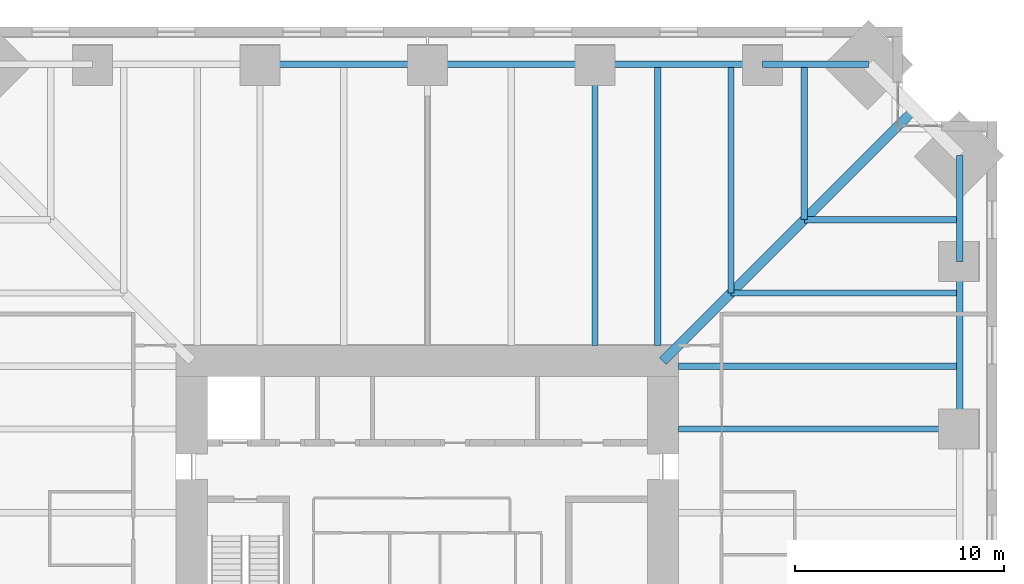
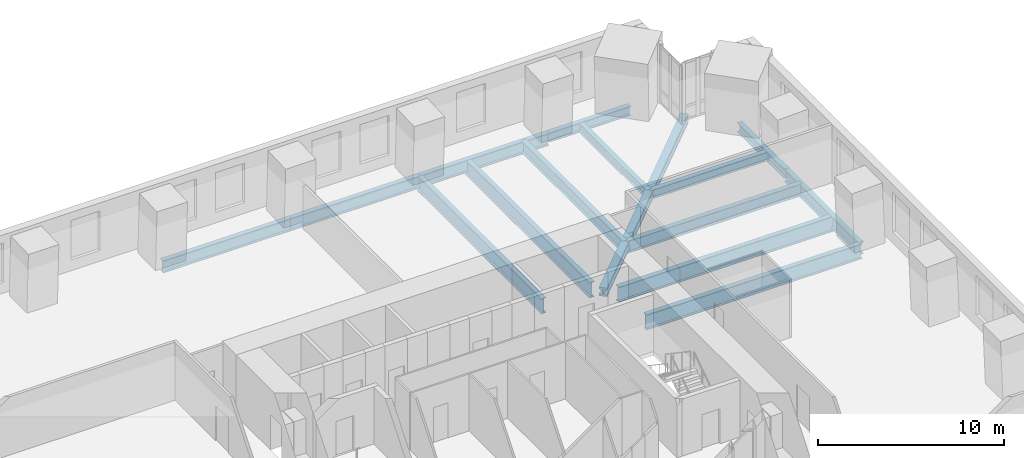
# One storey, part 7 of 16: 15 beams.
"""IFC4 building model written with IfcOpenShell, lengths in metres."""

import ifcopenshell
import ifcopenshell.guid

model = None  # the IFC model being written
_history = None  # IfcOwnerHistory: only IFC2X3 demands one
_inside = {}  # id of a spatial element -> (the spatial element, [elements in it])
_under = {}  # id of a project, library or spatial element -> (it, [spatial elements below it])
_declared = {}  # id of a project -> (the project, [libraries it declares])
_typed = {}  # id of a type object -> (the type object, [elements of that type])
_made_of = {}  # id of a material, layer set ... -> (it, [elements and type objects made of it])


def new_model(schema):
    """Start an empty IFC model of exactly this schema.

    Asked for "IFC4X3", IfcOpenShell would pick the latest addendum, in which some entities
    have other attributes; the version numbers below select the first issue.
    IFC2X3 requires an IfcOwnerHistory on every rooted entity: one is made here for all.
    """
    global model, _history
    if schema == "IFC4X3":
        model = ifcopenshell.file(schema_version=(4, 3, 0, 0))
    else:
        model = ifcopenshell.file(schema=schema)
    _inside.clear()
    _under.clear()
    _declared.clear()
    _typed.clear()
    _made_of.clear()
    _history = None
    if model.schema == "IFC2X3":
        org = make("IfcOrganization", Name="unknown")
        user = make(
            "IfcPersonAndOrganization",
            ThePerson=make("IfcPerson", FamilyName="unknown"),
            TheOrganization=org,
        )
        app = make(
            "IfcApplication",
            ApplicationDeveloper=org,
            Version="unknown",
            ApplicationFullName="unknown",
            ApplicationIdentifier="unknown",
        )
        _history = make(
            "IfcOwnerHistory",
            OwningUser=user,
            OwningApplication=app,
            ChangeAction="ADDED",
            CreationDate=0,
        )
    return model


def make(cls, **values):
    """One entity of the class cls with the attributes given. An attribute that is None is left unset."""
    return model.create_entity(
        cls, **{name: value for name, value in values.items() if value is not None}
    )


def rooted(cls, **values):
    """An entity with a GlobalId (a new one), such as an element, a storey or a relation."""
    return make(cls, GlobalId=ifcopenshell.guid.new(), OwnerHistory=_history, **values)


def si_unit(unit_type, name, prefix=None):
    """IfcSIUnit, for example si_unit("LENGTHUNIT", "METRE", prefix="MILLI")."""
    return make("IfcSIUnit", UnitType=unit_type, Prefix=prefix, Name=name)


def assignment(units):
    """IfcUnitAssignment: the units of a project."""
    return None if units is None else make("IfcUnitAssignment", Units=units)


def point(xyz):
    """IfcCartesianPoint."""
    return None if xyz is None else make("IfcCartesianPoint", Coordinates=xyz)


def direction(xyz):
    """IfcDirection."""
    return None if xyz is None else make("IfcDirection", DirectionRatios=xyz)


def frame(location, z_axis=None, x_axis=None):
    """IfcAxis2Placement3D, a coordinate frame: its origin and axes. An axis left out is left unset."""
    return make(
        "IfcAxis2Placement3D",
        Location=point(location),
        Axis=direction(z_axis),
        RefDirection=direction(x_axis),
    )


def frame_2d(location, x_axis=None):
    """IfcAxis2Placement2D, a coordinate frame in the plane: its origin and x axis."""
    return make(
        "IfcAxis2Placement2D", Location=point(location), RefDirection=direction(x_axis)
    )


def origin():
    """The frame at (0, 0, 0) with its axes left unset."""
    return frame((0.0, 0.0, 0.0))


def origin_2d():
    """The frame at (0, 0) in the plane with its x axis left unset."""
    return frame_2d((0.0, 0.0))


def place(relative_to, where):
    """IfcLocalPlacement: puts the frame where relative to a parent placement (None: the world)."""
    return make(
        "IfcLocalPlacement", PlacementRelTo=relative_to, RelativePlacement=where
    )


def context(
    kind, dimensions, precision=None, world=None, true_north=None, identifier=None
):
    """IfcGeometricRepresentationContext, for example the 3D "Model" context."""
    return make(
        "IfcGeometricRepresentationContext",
        ContextIdentifier=identifier,
        ContextType=kind,
        CoordinateSpaceDimension=dimensions,
        Precision=precision,
        WorldCoordinateSystem=world,
        TrueNorth=true_north,
    )


def subcontext(parent, identifier, kind, view, scale=None):
    """IfcGeometricRepresentationSubContext, for example "Body" below "Model"."""
    return make(
        "IfcGeometricRepresentationSubContext",
        ContextIdentifier=identifier,
        ContextType=kind,
        ParentContext=parent,
        TargetScale=scale,
        TargetView=view,
    )


def project(units=None, contexts=None):
    """IfcProject with its units and contexts."""
    return rooted(
        "IfcProject",
        Name="project",
        RepresentationContexts=contexts,
        UnitsInContext=assignment(units),
    )


def spatial(cls, under=None, at=None, **own):
    """A site, building, storey or space (cls), placed at a placement, below another one or the project."""
    s = rooted(cls, ObjectPlacement=at, **own)
    if under is not None:
        _under.setdefault(under.id(), (under, []))[1].append(s)
    return s


def profile(cls, at=None, kind="AREA", **sizes):
    """A parametric profile (cls). Its sizes go by their IFC names, for example OverallWidth=200.0."""
    return make(cls, ProfileType=kind, Position=at, **sizes)


def i_section(**sizes):
    """IfcIShapeProfileDef."""
    return profile("IfcIShapeProfileDef", **sizes)


def extrude(swept, where, along, depth):
    """IfcExtrudedAreaSolid: the profile swept, set in the frame where, extruded along a direction by depth."""
    return make(
        "IfcExtrudedAreaSolid",
        SweptArea=swept,
        Position=where,
        ExtrudedDirection=direction(along),
        Depth=depth,
    )


def shape(context_of_items, identifier, shape_type, items):
    """IfcShapeRepresentation: the items that make up one representation, for example the "Body"."""
    return make(
        "IfcShapeRepresentation",
        ContextOfItems=context_of_items,
        RepresentationIdentifier=identifier,
        RepresentationType=shape_type,
        Items=items,
    )


def material(Name=None, Category=None):
    """IfcMaterial."""
    return make("IfcMaterial", Name=Name, Category=Category)


def material_profile(
    of_material, cross_section, Name=None, Category=None, Priority=None
):
    """IfcMaterialProfile: a cross section and its material."""
    return make(
        "IfcMaterialProfile",
        Name=Name,
        Material=of_material,
        Profile=cross_section,
        Priority=Priority,
        Category=Category,
    )


def profile_set(profiles, Name=None, composite=None):
    """IfcMaterialProfileSet."""
    return make(
        "IfcMaterialProfileSet",
        Name=Name,
        MaterialProfiles=profiles,
        CompositeProfile=composite,
    )


def made_of(thing, what):
    """Note that an element or type object is made of a material, layer set ...; save() writes the relation."""
    if what is not None:
        _made_of.setdefault(what.id(), (what, []))[1].append(thing)
    return thing


def type_object(cls, material=None, **own):
    """A type object (cls), such as IfcWallType, which elements share."""
    return made_of(rooted(cls, **own), material)


def element(
    cls,
    number,
    at=None,
    inside=None,
    cuts=None,
    type_object=None,
    material=None,
    context=None,
    identifier="Body",
    shape_type=None,
    held_by="IfcProductDefinitionShape",
    body=None,
    shapes=None,
    **own,
):
    """One element of the class cls, such as IfcWall. Its Tag is "e" and its number.

    at: its placement. inside: the storey or other place that contains it. cuts: it is an
    opening in that element (IfcRelVoidsElement). A single representation is given by context,
    identifier, shape_type and body (its items); several are given by shapes. held_by: the class
    of the entity that holds the representations. save() writes the other relations.
    """
    e = rooted(cls, Tag="e%d" % number, ObjectPlacement=at, **own)
    if body is not None:
        shapes = [shape(context, identifier, shape_type, body)]
    if shapes is not None:
        e.Representation = make(held_by, Representations=shapes)
    if inside is not None:
        _inside.setdefault(inside.id(), (inside, []))[1].append(e)
    if cuts is not None:
        rooted(
            "IfcRelVoidsElement", RelatingBuildingElement=cuts, RelatedOpeningElement=e
        )
    if type_object is not None:
        _typed.setdefault(type_object.id(), (type_object, []))[1].append(e)
    return made_of(e, material)


def aggregate(whole, parts):
    """IfcRelAggregates: a whole, such as a stair, and the parts it consists of."""
    return rooted("IfcRelAggregates", RelatingObject=whole, RelatedObjects=parts)


def save(model, path):
    """Write the relations noted so far, then the file.

    IfcRelAggregates (storeys below a building ...), IfcRelContainedInSpatialStructure (elements
    in a storey), IfcRelDefinesByType, IfcRelAssociatesMaterial and IfcRelDeclares: one each for
    every whole, place, type object, material and project.
    """
    for whole, parts in _under.values():
        aggregate(whole, parts)
    for where, things in _inside.values():
        rooted(
            "IfcRelContainedInSpatialStructure",
            RelatedElements=things,
            RelatingStructure=where,
        )
    for kind, things in _typed.values():
        rooted("IfcRelDefinesByType", RelatedObjects=things, RelatingType=kind)
    for what, things in _made_of.values():
        rooted("IfcRelAssociatesMaterial", RelatedObjects=things, RelatingMaterial=what)
    for by, libraries in _declared.values():
        rooted("IfcRelDeclares", RelatingContext=by, RelatedDefinitions=libraries)
    model.write(path)


model = new_model("IFC4")

# Units and contexts
model_context = context("Model", 3, precision=1e-05, world=origin(), true_north=direction((0.0, 1.0)))
body_context = subcontext(model_context, "Body", "Model", "MODEL_VIEW")
ifc_project = project(units=[si_unit("LENGTHUNIT", "METRE"), si_unit("AREAUNIT", "SQUARE_METRE"), si_unit("VOLUMEUNIT", "CUBIC_METRE"), si_unit("PLANEANGLEUNIT", "RADIAN"), si_unit("MASSUNIT", "GRAM", prefix="KILO")], contexts=[model_context])

# Site, building, storey
site_placement = place(None, origin())
site = spatial("IfcSite", under=ifc_project, at=site_placement, CompositionType="ELEMENT")
building_placement = place(site_placement, origin())
building = spatial("IfcBuilding", under=site, at=building_placement, Name="Peilmerk Tower", CompositionType="ELEMENT")
storey_placement = place(building_placement, frame((0.0, 0.0, 135.800048828125)))
storey = spatial("IfcBuildingStorey", under=building, at=storey_placement, Name="L27", CompositionType="ELEMENT", Elevation=135.800048828125)

# Beams
ifc_material_1 = material(Name="Steel S355", Category="steel")
ifc_material_profile_1 = material_profile(ifc_material_1, i_section(OverallWidth=0.302978515625, OverallDepth=0.81396484375, WebThickness=0.02099609375, FlangeThickness=0.0400390625, at=origin_2d()), Name="HEM 800")
ifc_profile_set_1 = profile_set([ifc_material_profile_1], Name="Steel S355")
beam_type_1 = type_object("IfcBeamType", Name="B15 HEM 800 edge beam", PredefinedType="SPANDREL", material=ifc_profile_set_1)
for number, where, z_axis, x_axis, name in (
    (1, (16.0, 25.4208984375, -0.5771484375), (-1.0, 0.0, 0.0), (0.0, -1.0, 0.0), "Edge beam L27"),
    (2, (8.0, 25.4208984375, -0.5771484375), (-1.0, 0.0, 0.0), (0.0, -1.0, 0.0), "Edge beam L27"),
    (3, (0.0, 25.4208984375, -0.5771484375), (-1.0, 0.0, 0.0), (0.0, -1.0, 0.0), "Edge beam L27"),
    (4, (25.4208984375, 8.0, -0.5771484375), (0.0, 1.0, 0.0), (-1.0, 0.0, 0.0), "Edge beam L27"),
):
    element("IfcBeam", number, at=place(storey_placement, frame(where, z_axis=z_axis, x_axis=x_axis)), inside=storey, type_object=beam_type_1, Name=name, PredefinedType="SPANDREL", context=body_context, shape_type="SweptSolid", body=[
        extrude(i_section(OverallWidth=0.302978515625, OverallDepth=0.81396484375, WebThickness=0.02099609375, FlangeThickness=0.0400390625, at=origin_2d()), origin(), (0.0, 0.0, 1.0), 8.0),
    ])
ifc_material_profile_2 = material_profile(ifc_material_1, i_section(OverallWidth=0.300048828125, OverallDepth=0.590087890625, WebThickness=0.012939453125, FlangeThickness=0.02490234375, at=origin_2d()), Name="HEA 600")
ifc_profile_set_2 = profile_set([ifc_material_profile_2], Name="Steel S355")
beam_type_2 = type_object("IfcBeamType", Name="B27 HEA 600 floor beam", PredefinedType="BEAM", material=ifc_profile_set_2)
for number, where, z_axis, x_axis, name in (
    (5, (18.0, 18.0, -0.465087890625), (0.0, 1.0, 0.0), (-1.0, 0.0, 0.0), "Floor beam L27"),
    (6, (18.0, 18.0, -0.465087890625), (1.0, 0.0, 0.0), (0.0, 1.0, 0.0), "Floor beam L27"),
):
    element("IfcBeam", number, at=place(storey_placement, frame(where, z_axis=z_axis, x_axis=x_axis)), inside=storey, type_object=beam_type_2, Name=name, PredefinedType="BEAM", context=body_context, shape_type="SweptSolid", body=[
        extrude(i_section(OverallWidth=0.300048828125, OverallDepth=0.590087890625, WebThickness=0.012939453125, FlangeThickness=0.02490234375, at=origin_2d()), origin(), (0.0, 0.0, 1.0), 7.4208984375),
    ])
ifc_material_profile_3 = material_profile(ifc_material_1, i_section(OverallWidth=0.300048828125, OverallDepth=0.7900390625, WebThickness=0.014892578125, FlangeThickness=0.028076171875, at=origin_2d()), Name="HEA 800")
ifc_profile_set_3 = profile_set([ifc_material_profile_3], Name="Steel S355")
beam_type_3 = type_object("IfcBeamType", Name="B3 HEA 800 floor beam", PredefinedType="BEAM", material=ifc_profile_set_3)
for number, where, z_axis, x_axis, name in (
    (7, (14.5, 14.5, -0.56494140625), (0.0, 1.0, 0.0), (-1.0, 0.0, 0.0), "Floor beam L27"),
    (8, (14.5, 14.5, -0.56494140625), (1.0, 0.0, 0.0), (0.0, 1.0, 0.0), "Floor beam L27"),
):
    element("IfcBeam", number, at=place(storey_placement, frame(where, z_axis=z_axis, x_axis=x_axis)), inside=storey, type_object=beam_type_3, Name=name, PredefinedType="BEAM", context=body_context, shape_type="SweptSolid", body=[
        extrude(i_section(OverallWidth=0.300048828125, OverallDepth=0.7900390625, WebThickness=0.014892578125, FlangeThickness=0.028076171875, at=origin_2d()), origin(), (0.0, 0.0, 1.0), 10.9208984375),
    ])
ifc_material_profile_4 = material_profile(ifc_material_1, i_section(OverallWidth=0.304931640625, OverallDepth=0.6201171875, WebThickness=0.02099609375, FlangeThickness=0.0400390625, at=origin_2d()), Name="HEM 600")
ifc_profile_set_4 = profile_set([ifc_material_profile_4], Name="Steel S355")
beam_type_4 = type_object("IfcBeamType", Name="B31 HEM 600 edge beam", PredefinedType="SPANDREL", material=ifc_profile_set_4)
for number, where, z_axis, x_axis, name in (
    (9, (21.071044921875, 25.4208984375, -0.47998046875), (-1.0, 0.0, 0.0), (0.0, -1.0, 0.0), "Edge beam L27"),
    (10, (25.4208984375, 16.0, -0.47998046875), (0.0, 1.0, 0.0), (-1.0, 0.0, 0.0), "Edge beam L27"),
):
    element("IfcBeam", number, at=place(storey_placement, frame(where, z_axis=z_axis, x_axis=x_axis)), inside=storey, type_object=beam_type_4, Name=name, PredefinedType="SPANDREL", context=body_context, shape_type="SweptSolid", body=[
        extrude(i_section(OverallWidth=0.304931640625, OverallDepth=0.6201171875, WebThickness=0.02099609375, FlangeThickness=0.0400390625, at=origin_2d()), origin(), (0.0, 0.0, 1.0), 5.071044921875),
    ])
ifc_material_profile_5 = material_profile(ifc_material_1, i_section(OverallWidth=0.300048828125, OverallDepth=1.0, WebThickness=0.01904296875, FlangeThickness=0.035888671875, at=origin_2d()), Name="HEB 1000")
ifc_profile_set_5 = profile_set([ifc_material_profile_5], Name="Steel S355")
beam_type_5 = type_object("IfcBeamType", Name="B5 HEB 1000 floor girder", PredefinedType="BEAM", material=ifc_profile_set_5)
for number, where, z_axis, x_axis, name in (
    (11, (11.0, 12.0, -0.670166015625), (0.0, 1.0, 0.0), (-1.0, 0.0, 0.0), "Floor beam L27"),
    (12, (8.0, 12.0, -0.670166015625), (0.0, 1.0, 0.0), (-1.0, 0.0, 0.0), "Floor beam L27"),
    (13, (12.0, 8.0, -0.670166015625), (1.0, 0.0, 0.0), (0.0, 1.0, 0.0), "Floor beam L27"),
    (14, (12.0, 11.0, -0.670166015625), (1.0, 0.0, 0.0), (0.0, 1.0, 0.0), "Floor beam L27"),
):
    element("IfcBeam", number, at=place(storey_placement, frame(where, z_axis=z_axis, x_axis=x_axis)), inside=storey, type_object=beam_type_5, Name=name, PredefinedType="BEAM", context=body_context, shape_type="SweptSolid", body=[
        extrude(i_section(OverallWidth=0.300048828125, OverallDepth=1.0, WebThickness=0.01904296875, FlangeThickness=0.035888671875, at=origin_2d()), origin(), (0.0, 0.0, 1.0), 13.4208984375),
    ])
ifc_material_2 = material(Name="Steel S460", Category="steel")
ifc_material_profile_6 = material_profile(ifc_material_2, i_section(OverallWidth=0.4541015625, OverallDepth=0.569091796875, WebThickness=0.077880859375, FlangeThickness=0.125, at=origin_2d()), Name="HD 400x1086")
ifc_profile_set_6 = profile_set([ifc_material_profile_6], Name="Steel S460")
beam_type_6 = type_object("IfcBeamType", Name="B9 HD 400x1086 corner girder", PredefinedType="BEAM", material=ifc_profile_set_6)
beam_placement = place(storey_placement, frame((11.25, 11.25, -0.45458984375), z_axis=(0.707106781187, 0.707106781187, 0.0), x_axis=(-0.707106781187, 0.707106781187, 0.0)))
element("IfcBeam", 15, at=beam_placement, inside=storey, type_object=beam_type_6, Name="Corner girder L27", PredefinedType="BEAM", context=body_context, shape_type="SweptSolid", body=[
    extrude(i_section(OverallWidth=0.4541015625, OverallDepth=0.569091796875, WebThickness=0.077880859375, FlangeThickness=0.125, at=origin_2d()), origin(), (0.0, 0.0, 1.0), 16.964599609375),
])

save(model, "model.ifc")
